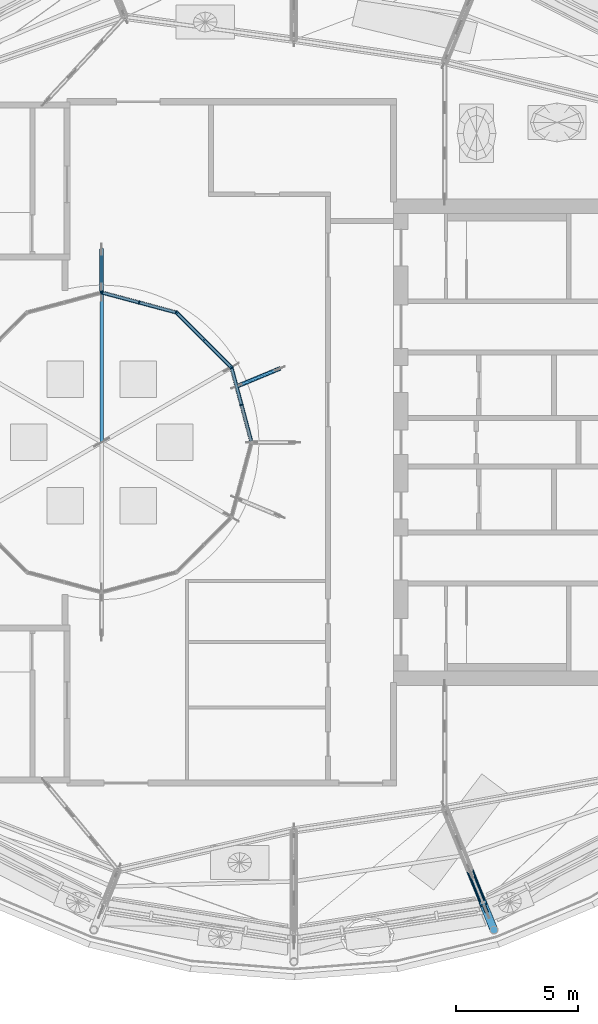
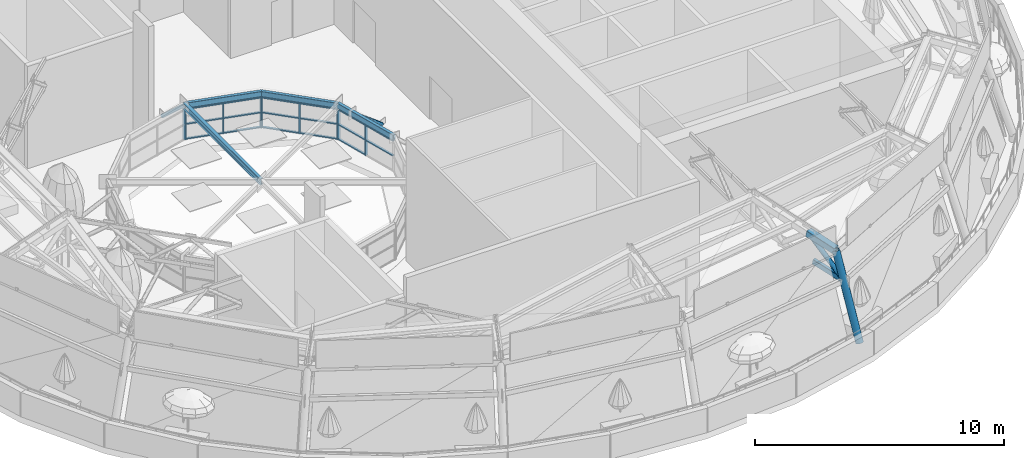
# One storey, part 9 of 40: 33 members, 3 beams, 4 elements without a shape of their own.
"""IFC4 building model written with IfcOpenShell, lengths in metres."""

from ifc_helpers import new_model, si_unit, direction, frame, origin, origin_2d, place, context, subcontext, project, spatial, rectangle, hollow_rectangle, hollow_circle, i_section, extrude, material, material_profile, profile_set, type_object, element, aggregate, save


model = new_model("IFC4")

# Units and contexts
model_context = context("Model", 3, precision=1e-05, world=origin(), true_north=direction((0.0, 1.0)))
body_context = subcontext(model_context, "Body", "Model", "MODEL_VIEW")
ifc_project = project(units=[si_unit("LENGTHUNIT", "METRE"), si_unit("AREAUNIT", "SQUARE_METRE"), si_unit("VOLUMEUNIT", "CUBIC_METRE"), si_unit("PLANEANGLEUNIT", "RADIAN"), si_unit("MASSUNIT", "GRAM", prefix="KILO")], contexts=[model_context])

# Site, building, storey
site_placement = place(None, origin())
site = spatial("IfcSite", under=ifc_project, at=site_placement, CompositionType="ELEMENT")
building_placement = place(site_placement, origin())
building = spatial("IfcBuilding", under=site, at=building_placement, Name="Taillehof Tower", CompositionType="ELEMENT")
storey_placement = place(building_placement, frame((0.0, 0.0, 275.199951171875)))
storey = spatial("IfcBuildingStorey", under=building, at=storey_placement, Name="L77", CompositionType="ELEMENT", Elevation=275.199951171875)

# Members
ifc_material_1 = material(Name="Steel S460M", Category="steel")
ifc_material_profile_1 = material_profile(ifc_material_1, hollow_rectangle(XDim=0.300048828125, YDim=0.300048828125, WallThickness=0.012451171875, InnerFilletRadius=0.012451171875, OuterFilletRadius=0.018798828125, at=origin_2d()), Name="RHS 300x300x12.5")
ifc_profile_set_1 = profile_set([ifc_material_profile_1], Name="Steel S460M")
member_type_1 = type_object("IfcMemberType", Name="Canopy rafter RHS 300x300x12.5", PredefinedType="RAFTER", material=ifc_profile_set_1)
member_1_placement = place(storey_placement, frame((7.67578125, -18.931884765625, 4.300048828125), z_axis=(-0.368259470872, 0.910714235641, 0.187041554508), x_axis=(-0.927075257433, -0.374875268663, 0.0)))
element("IfcMember", 1, at=member_1_placement, inside=storey, type_object=member_type_1, Name="Canopy rafter 15 top chord 1", PredefinedType="RAFTER", context=body_context, shape_type="SweptSolid", body=[
    extrude(hollow_rectangle(XDim=0.300048828125, YDim=0.300048828125, WallThickness=0.012451171875, InnerFilletRadius=0.012451171875, OuterFilletRadius=0.018798828125, at=origin_2d()), origin(), (0.0, 0.0, 1.0), 1.42529296875),
])
ifc_material_2 = material(Name="Steel S460M", Category="steel")
ifc_material_profile_2 = material_profile(ifc_material_2, hollow_rectangle(XDim=0.14990234375, YDim=0.25, WallThickness=0.010009765625, InnerFilletRadius=0.010009765625, OuterFilletRadius=0.014892578125, at=origin_2d()), Name="RHS 250x150x10")
ifc_profile_set_2 = profile_set([ifc_material_profile_2], Name="Steel S460M")
member_type_2 = type_object("IfcMemberType", Name="Canopy rafter bottom chord RHS 250x150x10", PredefinedType="CHORD", material=ifc_profile_set_2)
member_2_placement = place(storey_placement, frame((7.82568359375, -19.302734375, 3.0), z_axis=(-0.369252703203, 0.913406325723, 0.171293097663), x_axis=(-0.927108888624, -0.374792087209, 0.0)))
element("IfcMember", 2, at=member_2_placement, inside=storey, type_object=member_type_2, Name="Canopy rafter 15 bottom chord 1", PredefinedType="CHORD", context=body_context, shape_type="SweptSolid", body=[
    extrude(hollow_rectangle(XDim=0.14990234375, YDim=0.25, WallThickness=0.010009765625, InnerFilletRadius=0.010009765625, OuterFilletRadius=0.014892578125, at=origin_2d()), origin(), (0.0, 0.0, 1.0), 1.556396484375),
])
ifc_material_3 = material(Name="Steel S460M", Category="steel")
ifc_material_profile_3 = material_profile(ifc_material_3, hollow_circle(Radius=0.109619140625, WallThickness=0.012451171875, at=origin_2d()), Name="CHS 219.1x12.5")
ifc_profile_set_3 = profile_set([ifc_material_profile_3], Name="Steel S460M")
member_type_3 = type_object("IfcMemberType", Name="Canopy rafter diagonal CHS 219.1x12.5", PredefinedType="BRACE", material=ifc_profile_set_3)
member_3_placement = place(storey_placement, frame((7.82568359375, -19.302734375, 3.0), z_axis=(-0.282765320751, 0.699342884463, 0.656477953423), x_axis=(-0.927086000798, -0.374848698977, 0.0)))
element("IfcMember", 3, at=member_3_placement, inside=storey, type_object=member_type_3, Name="Canopy rafter 15 diagonal 1", PredefinedType="BRACE", context=body_context, shape_type="SweptSolid", body=[
    extrude(hollow_circle(Radius=0.109619140625, WallThickness=0.012451171875, at=origin_2d()), origin(), (0.0, 0.0, 1.0), 2.386474609375),
])
ifc_material_4 = material(Name="Steel S460M", Category="steel")
ifc_material_profile_4 = material_profile(ifc_material_4, hollow_circle(Radius=0.161865234375, WallThickness=0.01611328125, at=origin_2d()), Name="CHS 323.9x16")
ifc_profile_set_4 = profile_set([ifc_material_profile_4], Name="Steel S460M")
member_type_4 = type_object("IfcMemberType", Name="Canopy raking column CHS 323.9x16", PredefinedType="POST", material=ifc_profile_set_4)
member_4_placement = place(storey_placement, frame((8.12548828125, -20.04443359375, 0.300048828125), z_axis=(-0.107685299754, 0.266407117795, 0.957826249277), x_axis=(-0.927123602073, -0.374755689054, 0.0)))
element("IfcMember", 4, at=member_4_placement, inside=storey, type_object=member_type_4, Name="Canopy raking column CC15", PredefinedType="POST", context=body_context, shape_type="SweptSolid", body=[
    extrude(hollow_circle(Radius=0.161865234375, WallThickness=0.01611328125, at=origin_2d()), origin(), (0.0, 0.0, 1.0), 4.176025390625),
])
ifc_material_5 = material(Name="Steel S460M", Category="steel")
ifc_material_profile_5 = material_profile(ifc_material_5, i_section(OverallWidth=0.14990234375, OverallDepth=0.300048828125, WebThickness=0.007080078125, FlangeThickness=0.0107421875, FilletRadius=0.014892578125, at=origin_2d()), Name="IPE 300")
ifc_profile_set_5 = profile_set([ifc_material_profile_5], Name="Steel S460M")
member_type_5 = type_object("IfcMemberType", Name="Lantern rib IPE 300", PredefinedType="BRACE", material=ifc_profile_set_5)
member_5_placement = place(storey_placement, frame((-8.0, 6.159912109375, 1.650146484375), z_axis=(0.0, -1.0, 0.0), x_axis=(1.0, 0.0, 0.0)))
element("IfcMember", 5, at=member_5_placement, inside=storey, type_object=member_type_5, Name="Lantern rib LB02", PredefinedType="BRACE", context=body_context, shape_type="SweptSolid", body=[
    extrude(i_section(OverallWidth=0.14990234375, OverallDepth=0.300048828125, WebThickness=0.007080078125, FlangeThickness=0.0107421875, FilletRadius=0.014892578125, at=origin_2d()), origin(), (0.0, 0.0, 1.0), 6.159912109375),
])

# Beams
ifc_material_6 = material(Name="Steel S460M", Category="steel")
ifc_material_profile_6 = material_profile(ifc_material_6, hollow_rectangle(XDim=0.14990234375, YDim=0.25, WallThickness=0.010009765625, InnerFilletRadius=0.010009765625, OuterFilletRadius=0.014892578125, at=origin_2d()), Name="RHS 250x150x10")
ifc_profile_set_6 = profile_set([ifc_material_profile_6], Name="Steel S460M")
beam_type = type_object("IfcBeamType", Name="Lantern ring beam RHS 250x150x10", PredefinedType="BEAM", material=ifc_profile_set_6)
beam_1_placement = place(storey_placement, frame((-1.840087890625, 0.0, 1.675048828125), z_axis=(-0.258787112499, 0.965934382039, 0.0), x_axis=(-0.965934382039, -0.258787112499, 0.0)))
element("IfcBeam", 6, at=beam_1_placement, inside=storey, type_object=beam_type, Name="Lantern ring beam LR01", PredefinedType="BEAM", context=body_context, shape_type="SweptSolid", body=[
    extrude(hollow_rectangle(XDim=0.14990234375, YDim=0.25, WallThickness=0.010009765625, InnerFilletRadius=0.010009765625, OuterFilletRadius=0.014892578125, at=origin_2d()), origin(), (0.0, 0.0, 1.0), 3.188720703125),
])
beam_2_placement = place(storey_placement, frame((-2.665283203125, 3.080078125, 1.675048828125), z_axis=(-0.707106781187, 0.707106781187, 0.0), x_axis=(-0.707106781187, -0.707106781187, 0.0)))
element("IfcBeam", 7, at=beam_2_placement, inside=storey, type_object=beam_type, Name="Lantern ring beam LR02", PredefinedType="BEAM", context=body_context, shape_type="SweptSolid", body=[
    extrude(hollow_rectangle(XDim=0.14990234375, YDim=0.25, WallThickness=0.010009765625, InnerFilletRadius=0.010009765625, OuterFilletRadius=0.014892578125, at=origin_2d()), origin(), (0.0, 0.0, 1.0), 3.1884765625),
])
beam_3_placement = place(storey_placement, frame((-4.919921875, 5.334716796875, 1.675048828125), z_axis=(-0.965934382039, 0.258787112499, 0.0), x_axis=(-0.258787112499, -0.965934382039, 0.0)))
element("IfcBeam", 8, at=beam_3_placement, inside=storey, type_object=beam_type, Name="Lantern ring beam LR03", PredefinedType="BEAM", context=body_context, shape_type="SweptSolid", body=[
    extrude(hollow_rectangle(XDim=0.14990234375, YDim=0.25, WallThickness=0.010009765625, InnerFilletRadius=0.010009765625, OuterFilletRadius=0.014892578125, at=origin_2d()), origin(), (0.0, 0.0, 1.0), 3.188720703125),
])

# Members
ifc_material_7 = material(Name="Steel S460M", Category="steel")
ifc_material_profile_7 = material_profile(ifc_material_7, hollow_circle(Radius=0.084228515625, WallThickness=0.008056640625, at=origin_2d()), Name="CHS 168.3x8")
ifc_profile_set_7 = profile_set([ifc_material_profile_7], Name="Steel S460M")
member_type_6 = type_object("IfcMemberType", Name="Lantern strut CHS 168.3x8", PredefinedType="STRUT", material=ifc_profile_set_7)
member_6_placement = place(storey_placement, frame((-0.68017578125, 3.031982421875, 0.064453125), z_axis=(-0.708027740233, -0.293299347212, 0.642395681793), x_axis=(0.382710891507, -0.923868158084, 0.0)))
element("IfcMember", 9, at=member_6_placement, inside=storey, type_object=member_type_6, Name="Lantern strut LS02", PredefinedType="STRUT", context=body_context, shape_type="SweptSolid", body=[
    extrude(hollow_circle(Radius=0.084228515625, WallThickness=0.008056640625, at=origin_2d()), origin(), (0.0, 0.0, 1.0), 2.507080078125),
])
member_7_placement = place(storey_placement, frame((-8.0, 7.931640625, 0.062255859375), z_axis=(0.0, -0.739497265291, 0.673159561046), x_axis=(1.0, 0.0, 0.0)))
element("IfcMember", 10, at=member_7_placement, inside=storey, type_object=member_type_6, Name="Lantern strut LS03", PredefinedType="STRUT", context=body_context, shape_type="SweptSolid", body=[
    extrude(hollow_circle(Radius=0.084228515625, WallThickness=0.008056640625, at=origin_2d()), origin(), (0.0, 0.0, 1.0), 2.395751953125),
])

# Curtain wall, members
ifc_material_8 = material(Name="Aluminium curtain wall with Clear low-emissivity double glazing", Category="aluminium")
curtain_wall_type = type_object("IfcCurtainWallType", Name="Roof lantern curtain wall", PredefinedType="USERDEFINED", material=ifc_material_8)
curtain_wall_1_placement = place(storey_placement, origin())
curtain_wall_1 = element("IfcCurtainWall", 11, at=curtain_wall_1_placement, inside=storey, type_object=curtain_wall_type, Name="Roof lantern bay 1", ObjectType="WINDOW WALL", PredefinedType="USERDEFINED")
ifc_material_9 = material(Name="Aluminium mullion", Category="aluminium")
ifc_material_profile_8 = material_profile(ifc_material_9, rectangle(XDim=0.139892578125, YDim=0.050048828125, at=origin_2d()), Name="AL 50x140")
ifc_profile_set_8 = profile_set([ifc_material_profile_8], Name="Aluminium mullion")
member_type_7 = type_object("IfcMemberType", Name="Roof lantern mullion 50x140", PredefinedType="MULLION", material=ifc_profile_set_8)
member_8_placement = place(storey_placement, frame((-2.252685546875, 1.5400390625, 0.0), z_axis=(0.0, 0.0, 1.0), x_axis=(-0.965925826289, -0.258819045103, 0.0)))
member_8 = element("IfcMember", 12, at=member_8_placement, type_object=member_type_7, Name="CT701 mullion 2", PredefinedType="MULLION", context=body_context, shape_type="SweptSolid", body=[
    extrude(rectangle(XDim=0.139892578125, YDim=0.050048828125, at=origin_2d()), origin(), (0.0, 0.0, 1.0), 1.5),
])
member_9_placement = place(storey_placement, frame((-2.65869140625, 3.055908203125, 0.0), z_axis=(0.0, 0.0, 1.0), x_axis=(-0.965925826289, -0.258819045103, 0.0)))
member_9 = element("IfcMember", 13, at=member_9_placement, type_object=member_type_7, Name="CT701 mullion 3", PredefinedType="MULLION", context=body_context, shape_type="SweptSolid", body=[
    extrude(rectangle(XDim=0.139892578125, YDim=0.050048828125, at=origin_2d()), origin(), (0.0, 0.0, 1.0), 1.5),
])

curtain_wall_2_placement = place(storey_placement, origin())
curtain_wall_2 = element("IfcCurtainWall", 14, at=curtain_wall_2_placement, inside=storey, type_object=curtain_wall_type, Name="Roof lantern bay 2", ObjectType="WINDOW WALL", PredefinedType="USERDEFINED")
member_10_placement = place(storey_placement, frame((-2.682861328125, 3.09765625, 0.0), z_axis=(0.0, 0.0, 1.0), x_axis=(-0.707106781187, -0.707106781187, 0.0)))
member_10 = element("IfcMember", 15, at=member_10_placement, type_object=member_type_7, Name="CT702 mullion 1", PredefinedType="MULLION", context=body_context, shape_type="SweptSolid", body=[
    extrude(rectangle(XDim=0.139892578125, YDim=0.050048828125, at=origin_2d()), origin(), (0.0, 0.0, 1.0), 1.5),
])
member_11_placement = place(storey_placement, frame((-3.792724609375, 4.207275390625, 0.0), z_axis=(0.0, 0.0, 1.0), x_axis=(-0.707106781187, -0.707106781187, 0.0)))
member_11 = element("IfcMember", 16, at=member_11_placement, type_object=member_type_7, Name="CT702 mullion 2", PredefinedType="MULLION", context=body_context, shape_type="SweptSolid", body=[
    extrude(rectangle(XDim=0.139892578125, YDim=0.050048828125, at=origin_2d()), origin(), (0.0, 0.0, 1.0), 1.5),
])
member_12_placement = place(storey_placement, frame((-4.90234375, 5.317138671875, 0.0), z_axis=(0.0, 0.0, 1.0), x_axis=(-0.707106781187, -0.707106781187, 0.0)))
member_12 = element("IfcMember", 17, at=member_12_placement, type_object=member_type_7, Name="CT702 mullion 3", PredefinedType="MULLION", context=body_context, shape_type="SweptSolid", body=[
    extrude(rectangle(XDim=0.139892578125, YDim=0.050048828125, at=origin_2d()), origin(), (0.0, 0.0, 1.0), 1.5),
])

curtain_wall_3_placement = place(storey_placement, origin())
curtain_wall_3 = element("IfcCurtainWall", 18, at=curtain_wall_3_placement, inside=storey, type_object=curtain_wall_type, Name="Roof lantern bay 3", ObjectType="WINDOW WALL", PredefinedType="USERDEFINED")
member_13_placement = place(storey_placement, frame((-4.944091796875, 5.34130859375, 0.0), z_axis=(0.0, 0.0, 1.0), x_axis=(-0.258819045103, -0.965925826289, 0.0)))
member_13 = element("IfcMember", 19, at=member_13_placement, type_object=member_type_7, Name="CT703 mullion 1", PredefinedType="MULLION", context=body_context, shape_type="SweptSolid", body=[
    extrude(rectangle(XDim=0.139892578125, YDim=0.050048828125, at=origin_2d()), origin(), (0.0, 0.0, 1.0), 1.5),
])
member_14_placement = place(storey_placement, frame((-6.4599609375, 5.747314453125, 0.0), z_axis=(0.0, 0.0, 1.0), x_axis=(-0.258819045103, -0.965925826289, 0.0)))
member_14 = element("IfcMember", 20, at=member_14_placement, type_object=member_type_7, Name="CT703 mullion 2", PredefinedType="MULLION", context=body_context, shape_type="SweptSolid", body=[
    extrude(rectangle(XDim=0.139892578125, YDim=0.050048828125, at=origin_2d()), origin(), (0.0, 0.0, 1.0), 1.5),
])
member_15_placement = place(storey_placement, frame((-7.975830078125, 6.153564453125, 0.0), z_axis=(0.0, 0.0, 1.0), x_axis=(-0.258819045103, -0.965925826289, 0.0)))
member_15 = element("IfcMember", 21, at=member_15_placement, type_object=member_type_7, Name="CT703 mullion 3", PredefinedType="MULLION", context=body_context, shape_type="SweptSolid", body=[
    extrude(rectangle(XDim=0.139892578125, YDim=0.050048828125, at=origin_2d()), origin(), (0.0, 0.0, 1.0), 1.5),
])

# Curtain wall, member
curtain_wall_4_placement = place(storey_placement, origin())
curtain_wall_4 = element("IfcCurtainWall", 22, at=curtain_wall_4_placement, inside=storey, type_object=curtain_wall_type, Name="Roof lantern bay 4", ObjectType="WINDOW WALL", PredefinedType="USERDEFINED")
member_16_placement = place(storey_placement, frame((-8.024169921875, 6.153564453125, 0.0), z_axis=(0.0, 0.0, 1.0), x_axis=(0.258819045103, -0.965925826289, 0.0)))
member_16 = element("IfcMember", 23, at=member_16_placement, type_object=member_type_7, Name="CT704 mullion 1", PredefinedType="MULLION", context=body_context, shape_type="SweptSolid", body=[
    extrude(rectangle(XDim=0.139892578125, YDim=0.050048828125, at=origin_2d()), origin(), (0.0, 0.0, 1.0), 1.5),
])
aggregate(curtain_wall_4, [member_16])

# Member
ifc_material_10 = material(Name="Aluminium transom", Category="aluminium")
ifc_material_profile_9 = material_profile(ifc_material_10, rectangle(XDim=0.10009765625, YDim=0.050048828125, at=origin_2d()), Name="AL 100x50")
ifc_profile_set_9 = profile_set([ifc_material_profile_9], Name="Aluminium transom")
member_type_8 = type_object("IfcMemberType", Name="Roof lantern transom 100x50", PredefinedType="USERDEFINED", material=ifc_profile_set_9)
member_17_placement = place(storey_placement, frame((-1.85302734375, 0.04833984375, 0.75), z_axis=(-0.25872269774, 0.965951637337, 0.0), x_axis=(-0.965951637337, -0.25872269774, 0.0)))
member_17 = element("IfcMember", 24, at=member_17_placement, type_object=member_type_8, Name="CT701 transom 1.2", ObjectType="TRANSOM", PredefinedType="USERDEFINED", context=body_context, shape_type="SweptSolid", body=[
    extrude(rectangle(XDim=0.10009765625, YDim=0.050048828125, at=origin_2d()), origin(), (0.0, 0.0, 1.0), 1.519287109375),
])

member_18_placement = place(storey_placement, frame((-1.85302734375, 0.04833984375, 1.47509765625), z_axis=(-0.25872269774, 0.965951637337, 0.0), x_axis=(-0.965951637337, -0.25872269774, 0.0)))
member_18 = element("IfcMember", 25, at=member_18_placement, type_object=member_type_8, Name="CT701 transom 1.3", ObjectType="TRANSOM", PredefinedType="USERDEFINED", context=body_context, shape_type="SweptSolid", body=[
    extrude(rectangle(XDim=0.10009765625, YDim=0.050048828125, at=origin_2d()), origin(), (0.0, 0.0, 1.0), 1.519287109375),
])

member_19_placement = place(storey_placement, frame((-2.259033203125, 1.564208984375, 0.025146484375), z_axis=(-0.258872629048, 0.965911466921, 0.0), x_axis=(-0.965911466921, -0.258872629048, 0.0)))
member_19 = element("IfcMember", 26, at=member_19_placement, type_object=member_type_8, Name="CT701 transom 2.1", ObjectType="TRANSOM", PredefinedType="USERDEFINED", context=body_context, shape_type="SweptSolid", body=[
    extrude(rectangle(XDim=0.10009765625, YDim=0.050048828125, at=origin_2d()), origin(), (0.0, 0.0, 1.0), 1.519287109375),
])

member_20_placement = place(storey_placement, frame((-2.259033203125, 1.564208984375, 0.75), z_axis=(-0.258872629048, 0.965911466921, 0.0), x_axis=(-0.965911466921, -0.258872629048, 0.0)))
member_20 = element("IfcMember", 27, at=member_20_placement, type_object=member_type_8, Name="CT701 transom 2.2", ObjectType="TRANSOM", PredefinedType="USERDEFINED", context=body_context, shape_type="SweptSolid", body=[
    extrude(rectangle(XDim=0.10009765625, YDim=0.050048828125, at=origin_2d()), origin(), (0.0, 0.0, 1.0), 1.519287109375),
])

member_21_placement = place(storey_placement, frame((-2.259033203125, 1.564208984375, 1.47509765625), z_axis=(-0.258872629048, 0.965911466921, 0.0), x_axis=(-0.965911466921, -0.258872629048, 0.0)))
member_21 = element("IfcMember", 28, at=member_21_placement, type_object=member_type_8, Name="CT701 transom 2.3", ObjectType="TRANSOM", PredefinedType="USERDEFINED", context=body_context, shape_type="SweptSolid", body=[
    extrude(rectangle(XDim=0.10009765625, YDim=0.050048828125, at=origin_2d()), origin(), (0.0, 0.0, 1.0), 1.519287109375),
])

aggregate(curtain_wall_1, [member_8, member_9, member_17, member_18, member_19, member_20, member_21])

member_22_placement = place(storey_placement, frame((-2.70068359375, 3.115234375, 0.025146484375), z_axis=(-0.707026432709, 0.707187120535, 0.0), x_axis=(-0.707187120535, -0.707026432709, 0.0)))
member_22 = element("IfcMember", 29, at=member_22_placement, type_object=member_type_8, Name="CT702 transom 1.1", ObjectType="TRANSOM", PredefinedType="USERDEFINED", context=body_context, shape_type="SweptSolid", body=[
    extrude(rectangle(XDim=0.10009765625, YDim=0.050048828125, at=origin_2d()), origin(), (0.0, 0.0, 1.0), 1.519287109375),
])

member_23_placement = place(storey_placement, frame((-2.70068359375, 3.115234375, 0.75), z_axis=(-0.707026432709, 0.707187120535, 0.0), x_axis=(-0.707187120535, -0.707026432709, 0.0)))
member_23 = element("IfcMember", 30, at=member_23_placement, type_object=member_type_8, Name="CT702 transom 1.2", ObjectType="TRANSOM", PredefinedType="USERDEFINED", context=body_context, shape_type="SweptSolid", body=[
    extrude(rectangle(XDim=0.10009765625, YDim=0.050048828125, at=origin_2d()), origin(), (0.0, 0.0, 1.0), 1.519287109375),
])

member_24_placement = place(storey_placement, frame((-2.70068359375, 3.115234375, 1.47509765625), z_axis=(-0.707026432709, 0.707187120535, 0.0), x_axis=(-0.707187120535, -0.707026432709, 0.0)))
member_24 = element("IfcMember", 31, at=member_24_placement, type_object=member_type_8, Name="CT702 transom 1.3", ObjectType="TRANSOM", PredefinedType="USERDEFINED", context=body_context, shape_type="SweptSolid", body=[
    extrude(rectangle(XDim=0.10009765625, YDim=0.050048828125, at=origin_2d()), origin(), (0.0, 0.0, 1.0), 1.519287109375),
])

member_25_placement = place(storey_placement, frame((-3.810302734375, 4.22509765625, 0.025146484375), z_axis=(-0.707187120535, 0.707026432709, 0.0), x_axis=(-0.707026432709, -0.707187120535, 0.0)))
member_25 = element("IfcMember", 32, at=member_25_placement, type_object=member_type_8, Name="CT702 transom 2.1", ObjectType="TRANSOM", PredefinedType="USERDEFINED", context=body_context, shape_type="SweptSolid", body=[
    extrude(rectangle(XDim=0.10009765625, YDim=0.050048828125, at=origin_2d()), origin(), (0.0, 0.0, 1.0), 1.519287109375),
])

member_26_placement = place(storey_placement, frame((-3.810302734375, 4.22509765625, 0.75), z_axis=(-0.707187120535, 0.707026432709, 0.0), x_axis=(-0.707026432709, -0.707187120535, 0.0)))
member_26 = element("IfcMember", 33, at=member_26_placement, type_object=member_type_8, Name="CT702 transom 2.2", ObjectType="TRANSOM", PredefinedType="USERDEFINED", context=body_context, shape_type="SweptSolid", body=[
    extrude(rectangle(XDim=0.10009765625, YDim=0.050048828125, at=origin_2d()), origin(), (0.0, 0.0, 1.0), 1.519287109375),
])

member_27_placement = place(storey_placement, frame((-3.810302734375, 4.22509765625, 1.47509765625), z_axis=(-0.707187120535, 0.707026432709, 0.0), x_axis=(-0.707026432709, -0.707187120535, 0.0)))
member_27 = element("IfcMember", 34, at=member_27_placement, type_object=member_type_8, Name="CT702 transom 2.3", ObjectType="TRANSOM", PredefinedType="USERDEFINED", context=body_context, shape_type="SweptSolid", body=[
    extrude(rectangle(XDim=0.10009765625, YDim=0.050048828125, at=origin_2d()), origin(), (0.0, 0.0, 1.0), 1.519287109375),
])

aggregate(curtain_wall_2, [member_10, member_11, member_12, member_22, member_23, member_24, member_25, member_26, member_27])

member_28_placement = place(storey_placement, frame((-4.96826171875, 5.34765625, 0.025146484375), z_axis=(-0.965911466921, 0.258872629048, 0.0), x_axis=(-0.258872629048, -0.965911466921, 0.0)))
member_28 = element("IfcMember", 35, at=member_28_placement, type_object=member_type_8, Name="CT703 transom 1.1", ObjectType="TRANSOM", PredefinedType="USERDEFINED", context=body_context, shape_type="SweptSolid", body=[
    extrude(rectangle(XDim=0.10009765625, YDim=0.050048828125, at=origin_2d()), origin(), (0.0, 0.0, 1.0), 1.519287109375),
])

member_29_placement = place(storey_placement, frame((-4.96826171875, 5.34765625, 0.75), z_axis=(-0.965911466921, 0.258872629048, 0.0), x_axis=(-0.258872629048, -0.965911466921, 0.0)))
member_29 = element("IfcMember", 36, at=member_29_placement, type_object=member_type_8, Name="CT703 transom 1.2", ObjectType="TRANSOM", PredefinedType="USERDEFINED", context=body_context, shape_type="SweptSolid", body=[
    extrude(rectangle(XDim=0.10009765625, YDim=0.050048828125, at=origin_2d()), origin(), (0.0, 0.0, 1.0), 1.519287109375),
])

member_30_placement = place(storey_placement, frame((-4.96826171875, 5.34765625, 1.47509765625), z_axis=(-0.965911466921, 0.258872629048, 0.0), x_axis=(-0.258872629048, -0.965911466921, 0.0)))
member_30 = element("IfcMember", 37, at=member_30_placement, type_object=member_type_8, Name="CT703 transom 1.3", ObjectType="TRANSOM", PredefinedType="USERDEFINED", context=body_context, shape_type="SweptSolid", body=[
    extrude(rectangle(XDim=0.10009765625, YDim=0.050048828125, at=origin_2d()), origin(), (0.0, 0.0, 1.0), 1.519287109375),
])

member_31_placement = place(storey_placement, frame((-6.484130859375, 5.75390625, 0.025146484375), z_axis=(-0.965951637337, 0.25872269774, 0.0), x_axis=(-0.25872269774, -0.965951637337, 0.0)))
member_31 = element("IfcMember", 38, at=member_31_placement, type_object=member_type_8, Name="CT703 transom 2.1", ObjectType="TRANSOM", PredefinedType="USERDEFINED", context=body_context, shape_type="SweptSolid", body=[
    extrude(rectangle(XDim=0.10009765625, YDim=0.050048828125, at=origin_2d()), origin(), (0.0, 0.0, 1.0), 1.519287109375),
])

member_32_placement = place(storey_placement, frame((-6.484130859375, 5.75390625, 0.75), z_axis=(-0.965951637337, 0.25872269774, 0.0), x_axis=(-0.25872269774, -0.965951637337, 0.0)))
member_32 = element("IfcMember", 39, at=member_32_placement, type_object=member_type_8, Name="CT703 transom 2.2", ObjectType="TRANSOM", PredefinedType="USERDEFINED", context=body_context, shape_type="SweptSolid", body=[
    extrude(rectangle(XDim=0.10009765625, YDim=0.050048828125, at=origin_2d()), origin(), (0.0, 0.0, 1.0), 1.519287109375),
])

member_33_placement = place(storey_placement, frame((-6.484130859375, 5.75390625, 1.47509765625), z_axis=(-0.965951637337, 0.25872269774, 0.0), x_axis=(-0.25872269774, -0.965951637337, 0.0)))
member_33 = element("IfcMember", 40, at=member_33_placement, type_object=member_type_8, Name="CT703 transom 2.3", ObjectType="TRANSOM", PredefinedType="USERDEFINED", context=body_context, shape_type="SweptSolid", body=[
    extrude(rectangle(XDim=0.10009765625, YDim=0.050048828125, at=origin_2d()), origin(), (0.0, 0.0, 1.0), 1.519287109375),
])

aggregate(curtain_wall_3, [member_13, member_14, member_15, member_28, member_29, member_30, member_31, member_32, member_33])

save(model, "model.ifc")
